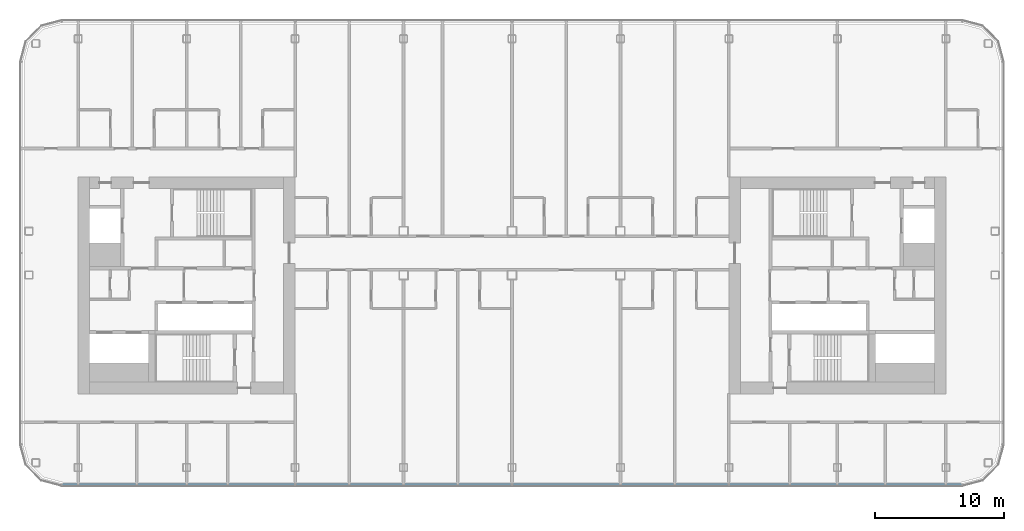
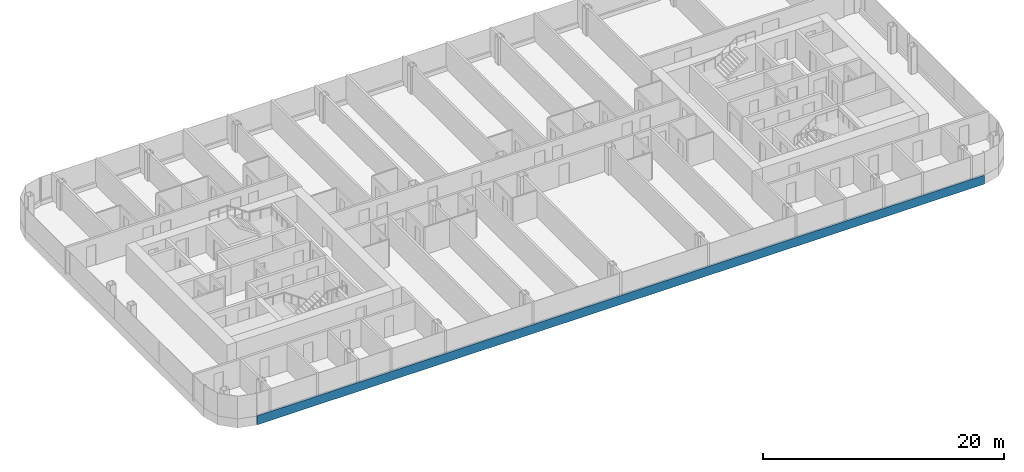
# One storey, part 4 of 26: 1 member, 1 element without a shape of its own.
"""IFC4 building model written with IfcOpenShell, lengths in metres."""

from ifc_helpers import new_model, si_unit, direction, frame, origin, origin_2d, place, context, subcontext, project, spatial, rectangle, extrude, material, layer, layer_set, material_profile, profile_set, type_object, element, aggregate, save


model = new_model("IFC4")

# Units and contexts
model_context = context("Model", 3, precision=1e-05, world=origin(), true_north=direction((0.0, 1.0)))
body_context = subcontext(model_context, "Body", "Model", "MODEL_VIEW")
ifc_project = project(units=[si_unit("LENGTHUNIT", "METRE"), si_unit("AREAUNIT", "SQUARE_METRE"), si_unit("VOLUMEUNIT", "CUBIC_METRE"), si_unit("PLANEANGLEUNIT", "RADIAN"), si_unit("MASSUNIT", "GRAM", prefix="KILO")], contexts=[model_context])

# Site, building, storey
site_placement = place(None, origin())
site = spatial("IfcSite", under=ifc_project, at=site_placement, CompositionType="ELEMENT")
building_placement = place(site_placement, origin())
building = spatial("IfcBuilding", under=site, at=building_placement, Name="Hakoniwa Tower and Hamabe Station Hall", CompositionType="ELEMENT")
storey_placement = place(building_placement, frame((0.0, 0.0, 221.800048828125)))
storey = spatial("IfcBuildingStorey", under=building, at=storey_placement, Name="L63", CompositionType="ELEMENT", Elevation=221.800048828125)

# Curtain wall, member
ifc_material_1 = material(Name="Dark low-e laminated glass", Category="glass")
ifc_layer = layer(ifc_material_1, 0.199951171875)
ifc_layer_set = layer_set([ifc_layer], Name="CW-1 UNITISED GUEST")
curtain_wall_type = type_object("IfcCurtainWallType", Name="CW-1 UNITISED GUEST", PredefinedType="NOTDEFINED", material=ifc_layer_set)
curtain_wall_placement = place(storey_placement, origin())
curtain_wall = element("IfcCurtainWall", 1, at=curtain_wall_placement, inside=storey, type_object=curtain_wall_type, Name="CW-1 curtain wall", PredefinedType="NOTDEFINED")
ifc_material_2 = material(Name="Aluminium 6063-T5 black anodised", Category="aluminium")
ifc_material_profile = material_profile(ifc_material_2, rectangle(XDim=0.199951171875, YDim=0.89990234375, at=origin_2d()), Name="CW SLAB-EDGE BAND 900X200")
ifc_profile_set = profile_set([ifc_material_profile], Name="Aluminium 6063-T5 black anodised")
member_type = type_object("IfcMemberType", Name="CW SLAB-EDGE BAND 900X200", PredefinedType="USERDEFINED", material=ifc_profile_set)
member_placement = place(storey_placement, frame((-34.839599609375, -15.449951171875, -0.10009765625), z_axis=(1.0, 0.0, 0.0), x_axis=(0.0, 1.0, 0.0)))
member = element("IfcMember", 2, at=member_placement, type_object=member_type, Name="CW-1 transom", ObjectType="TRANSOM", PredefinedType="USERDEFINED", context=body_context, shape_type="SweptSolid", body=[
    extrude(rectangle(XDim=0.199951171875, YDim=0.89990234375, at=origin_2d()), origin(), (0.0, 0.0, 1.0), 69.67919921875),
])
aggregate(curtain_wall, [member])

save(model, "model.ifc")
